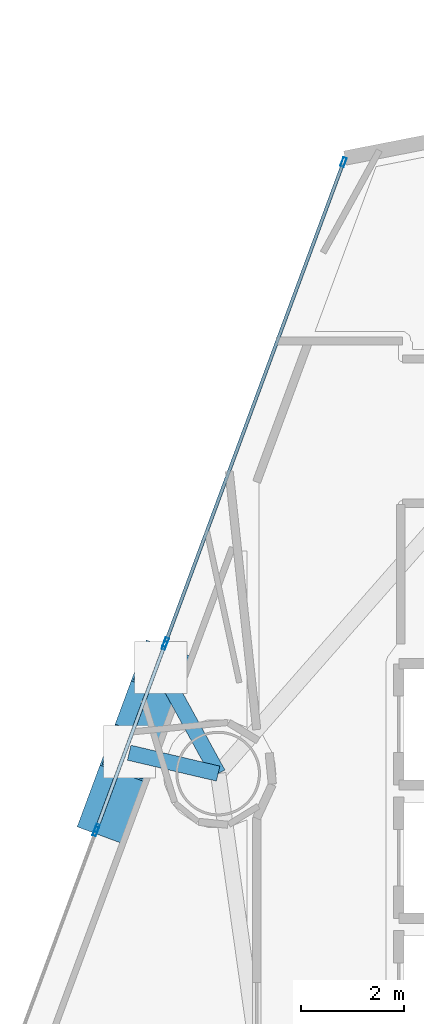
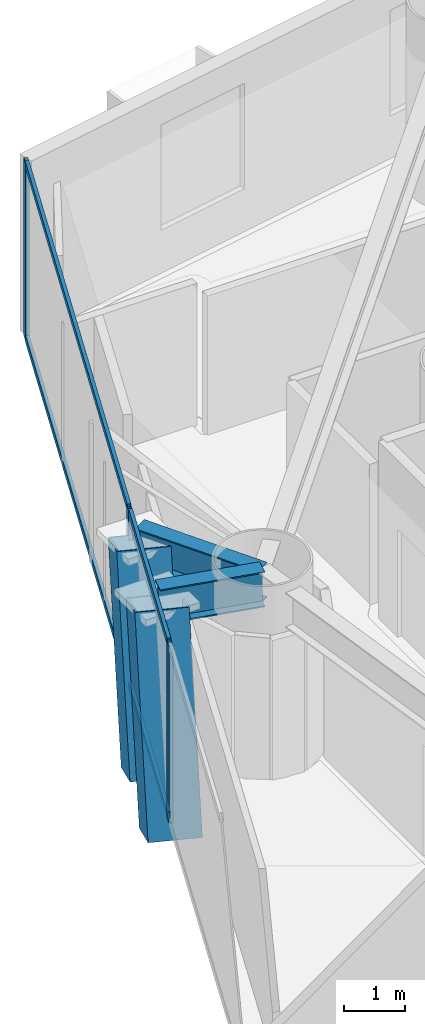
# One storey, part 8 of 24: 11 members, 2 beams, 3 elements without a shape of their own.
"""IFC4 building model written with IfcOpenShell, lengths in metres."""

from ifc_helpers import new_model, si_unit, direction, frame, origin, origin_2d, place, context, subcontext, project, spatial, hollow_rectangle, i_section, extrude, material, layer, layer_set, material_profile, profile_set, type_object, element, aggregate, save


model = new_model("IFC4")

# Units and contexts
model_context = context("Model", 3, precision=1e-05, world=origin(), true_north=direction((0.0, 1.0)))
body_context = subcontext(model_context, "Body", "Model", "MODEL_VIEW")
ifc_project = project(units=[si_unit("LENGTHUNIT", "METRE"), si_unit("AREAUNIT", "SQUARE_METRE"), si_unit("VOLUMEUNIT", "CUBIC_METRE"), si_unit("PLANEANGLEUNIT", "RADIAN"), si_unit("MASSUNIT", "GRAM", prefix="KILO")], contexts=[model_context])

# Site, building, storey
site_placement = place(None, origin())
site = spatial("IfcSite", under=ifc_project, at=site_placement, CompositionType="ELEMENT")
building_placement = place(site_placement, origin())
building = spatial("IfcBuilding", under=site, at=building_placement, Name="Qianvela Tower", CompositionType="ELEMENT")
storey_placement = place(building_placement, frame((0.0, 0.0, 59.89990234375)))
storey = spatial("IfcBuildingStorey", under=building, at=storey_placement, Name="L14", CompositionType="ELEMENT", Elevation=59.89990234375)

# Beams
ifc_material_1 = material(Name="Steel Q355B", Category="steel")
ifc_material_profile_1 = material_profile(ifc_material_1, i_section(OverallWidth=0.300048828125, OverallDepth=0.699951171875, WebThickness=0.012939453125, FlangeThickness=0.02392578125, at=origin_2d()), Name="HN700x300x13x24")
ifc_profile_set_1 = profile_set([ifc_material_profile_1], Name="Steel Q355B")
beam_type = type_object("IfcBeamType", Name="BM-HN700-SPAND", PredefinedType="SPANDREL", material=ifc_profile_set_1)
beam_1_placement = place(storey_placement, frame((22.8291015625, 30.340087890625, 3.168212890625), z_axis=(-0.480840378128, 0.876808149347, 0.0), x_axis=(-0.876808149347, -0.480840378128, 0.0)))
element("IfcBeam", 1, at=beam_1_placement, inside=storey, type_object=beam_type, Name="L14 Mega-Brace Column Tie Bracket F2-1", PredefinedType="SPANDREL", context=body_context, shape_type="SweptSolid", body=[
    extrude(i_section(OverallWidth=0.300048828125, OverallDepth=0.699951171875, WebThickness=0.012939453125, FlangeThickness=0.02392578125, at=origin_2d()), origin(), (0.0, 0.0, 1.0), 2.338623046875),
])
beam_2_placement = place(storey_placement, frame((22.8291015625, 30.340087890625, 3.168212890625), z_axis=(-0.973512416632, 0.228634150257, 0.0), x_axis=(-0.228634150257, -0.973512416632, 0.0)))
element("IfcBeam", 2, at=beam_2_placement, inside=storey, type_object=beam_type, Name="L14 Mega-Brace Column Tie Bracket F2-2", PredefinedType="SPANDREL", context=body_context, shape_type="SweptSolid", body=[
    extrude(i_section(OverallWidth=0.300048828125, OverallDepth=0.699951171875, WebThickness=0.012939453125, FlangeThickness=0.02392578125, at=origin_2d()), origin(), (0.0, 0.0, 1.0), 1.780029296875),
])

# Curtain wall, members
ifc_material_2 = material(Name="Anodised Architectural Aluminium and Insulated Spandrel Panel", Category="aluminium")
ifc_layer_1 = layer(ifc_material_2, 0.179931640625)
ifc_layer_set_1 = layer_set([ifc_layer_1], Name="Anodised Architectural Aluminium and Insulated Spandrel Panel")
curtain_wall_type_1 = type_object("IfcCurtainWallType", Name="CW-BRACEBAY", PredefinedType="USERDEFINED", material=ifc_layer_set_1)
curtain_wall_1_placement = place(storey_placement, origin())
curtain_wall_1 = element("IfcCurtainWall", 3, at=curtain_wall_1_placement, inside=storey, type_object=curtain_wall_type_1, Name="L14 CW-BRACEBAY Curtain Wall 04B", ObjectType="CURTAIN_WALL_SYSTEM", PredefinedType="USERDEFINED")
ifc_material_3 = material(Name="Anodised Architectural Aluminium 6063-T6", Category="aluminium")
ifc_material_profile_2 = material_profile(ifc_material_3, hollow_rectangle(XDim=0.06494140625, YDim=0.159912109375, WallThickness=0.0048828125, at=origin_2d()), Name="ALU-MULL-65x160")
ifc_profile_set_2 = profile_set([ifc_material_profile_2], Name="Anodised Architectural Aluminium 6063-T6")
member_type_1 = type_object("IfcMemberType", Name="CW-BRACEBAY-MULL", PredefinedType="MULLION", material=ifc_profile_set_2)
member_1_placement = place(storey_placement, frame((21.784423828125, 32.8359375, 0.0), z_axis=(0.0, 0.0, 1.0), x_axis=(0.937768135084, -0.347262040569, 0.0)))
member_1 = element("IfcMember", 4, at=member_1_placement, type_object=member_type_1, Name="CW-9 mullion 1", PredefinedType="MULLION", context=body_context, shape_type="SweptSolid", body=[
    extrude(hollow_rectangle(XDim=0.06494140625, YDim=0.159912109375, WallThickness=0.0048828125, at=origin_2d()), origin(), (0.0, 0.0, 1.0), 3.52001953125),
])
member_2_placement = place(storey_placement, frame((20.466552734375, 29.27734375, 0.0), z_axis=(0.0, 0.0, 1.0), x_axis=(0.937768135084, -0.347262040569, 0.0)))
member_2 = element("IfcMember", 5, at=member_2_placement, type_object=member_type_1, Name="CW-9 mullion 2", PredefinedType="MULLION", context=body_context, shape_type="SweptSolid", body=[
    extrude(hollow_rectangle(XDim=0.06494140625, YDim=0.159912109375, WallThickness=0.0048828125, at=origin_2d()), origin(), (0.0, 0.0, 1.0), 3.52001953125),
])
ifc_material_4 = material(Name="Anodised Architectural Aluminium 6063-T6", Category="aluminium")
ifc_material_profile_3 = material_profile(ifc_material_4, hollow_rectangle(XDim=0.06494140625, YDim=0.1298828125, WallThickness=0.00439453125, at=origin_2d()), Name="ALU-TRAN-65x130")
ifc_profile_set_3 = profile_set([ifc_material_profile_3], Name="Anodised Architectural Aluminium 6063-T6")
member_type_2 = type_object("IfcMemberType", Name="CW-BRACEBAY-TRAN", PredefinedType="USERDEFINED", material=ifc_profile_set_3)
member_3_placement = place(storey_placement, frame((21.77294921875, 32.8056640625, 0.03271484375), z_axis=(-0.347239740554, -0.937776392633, 0.0), x_axis=(0.937776392633, -0.347239740554, 0.0)))
member_3 = element("IfcMember", 6, at=member_3_placement, type_object=member_type_2, Name="CW-9 transom 1.1", ObjectType="TRANSOM", PredefinedType="USERDEFINED", context=body_context, shape_type="SweptSolid", body=[
    extrude(hollow_rectangle(XDim=0.06494140625, YDim=0.1298828125, WallThickness=0.00439453125, at=origin_2d()), origin(), (0.0, 0.0, 1.0), 3.72998046875),
])
member_4_placement = place(storey_placement, frame((21.77294921875, 32.8056640625, 3.487548828125), z_axis=(-0.347239740554, -0.937776392633, 0.0), x_axis=(0.937776392633, -0.347239740554, 0.0)))
member_4 = element("IfcMember", 7, at=member_4_placement, type_object=member_type_2, Name="CW-9 transom 1.2", ObjectType="TRANSOM", PredefinedType="USERDEFINED", context=body_context, shape_type="SweptSolid", body=[
    extrude(hollow_rectangle(XDim=0.06494140625, YDim=0.1298828125, WallThickness=0.00439453125, at=origin_2d()), origin(), (0.0, 0.0, 1.0), 3.72998046875),
])
aggregate(curtain_wall_1, [member_1, member_2, member_3, member_4])

ifc_material_5 = material(Name="Anodised Architectural Aluminium and Low-E Glass", Category="aluminium")
ifc_layer_2 = layer(ifc_material_5, 0.179931640625)
ifc_layer_set_2 = layer_set([ifc_layer_2], Name="Anodised Architectural Aluminium and Low-E Glass")
curtain_wall_type_2 = type_object("IfcCurtainWallType", Name="CW-COLIV-Z12", PredefinedType="USERDEFINED", material=ifc_layer_set_2)
curtain_wall_2_placement = place(storey_placement, origin())
curtain_wall_2 = element("IfcCurtainWall", 8, at=curtain_wall_2_placement, inside=storey, type_object=curtain_wall_type_2, Name="L14 CW-COLIV-Z12 Curtain Wall 04A", ObjectType="CURTAIN_WALL_SYSTEM", PredefinedType="USERDEFINED")
ifc_material_6 = material(Name="Anodised Architectural Aluminium 6063-T6", Category="aluminium")
ifc_material_profile_4 = material_profile(ifc_material_6, hollow_rectangle(XDim=0.070068359375, YDim=0.179931640625, WallThickness=0.0048828125, at=origin_2d()), Name="ALU-MULL-70x180")
ifc_profile_set_4 = profile_set([ifc_material_profile_4], Name="Anodised Architectural Aluminium 6063-T6")
member_type_3 = type_object("IfcMemberType", Name="CW-COLIV-Z12-MULL", PredefinedType="MULLION", material=ifc_profile_set_4)
member_5_placement = place(storey_placement, frame((25.2734375, 42.25830078125, 0.0), z_axis=(0.0, 0.0, 1.0), x_axis=(0.937767963568, -0.347262503743, 0.0)))
member_5 = element("IfcMember", 9, at=member_5_placement, type_object=member_type_3, Name="CW-3 mullion 1", PredefinedType="MULLION", context=body_context, shape_type="SweptSolid", body=[
    extrude(hollow_rectangle(XDim=0.070068359375, YDim=0.179931640625, WallThickness=0.0048828125, at=origin_2d()), origin(), (0.0, 0.0, 1.0), 3.52001953125),
])
member_6_placement = place(storey_placement, frame((21.807861328125, 32.8994140625, 0.0), z_axis=(0.0, 0.0, 1.0), x_axis=(0.937767963568, -0.347262503743, 0.0)))
member_6 = element("IfcMember", 10, at=member_6_placement, type_object=member_type_3, Name="CW-3 mullion 2", PredefinedType="MULLION", context=body_context, shape_type="SweptSolid", body=[
    extrude(hollow_rectangle(XDim=0.070068359375, YDim=0.179931640625, WallThickness=0.0048828125, at=origin_2d()), origin(), (0.0, 0.0, 1.0), 3.52001953125),
])

# Curtain wall, member
curtain_wall_3_placement = place(storey_placement, origin())
curtain_wall_3 = element("IfcCurtainWall", 11, at=curtain_wall_3_placement, inside=storey, type_object=curtain_wall_type_2, Name="L14 CW-COLIV-Z12 Curtain Wall 04C", ObjectType="CURTAIN_WALL_SYSTEM", PredefinedType="USERDEFINED")
member_7_placement = place(storey_placement, frame((20.443115234375, 29.2138671875, 0.0), z_axis=(0.0, 0.0, 1.0), x_axis=(0.937769894742, -0.347257288643, 0.0)))
member_7 = element("IfcMember", 12, at=member_7_placement, type_object=member_type_3, Name="CW-3 mullion 1", PredefinedType="MULLION", context=body_context, shape_type="SweptSolid", body=[
    extrude(hollow_rectangle(XDim=0.070068359375, YDim=0.179931640625, WallThickness=0.0048828125, at=origin_2d()), origin(), (0.0, 0.0, 1.0), 3.52001953125),
])
aggregate(curtain_wall_3, [member_7])

# Member
ifc_material_7 = material(Name="Anodised Architectural Aluminium 6063-T6", Category="aluminium")
ifc_material_profile_5 = material_profile(ifc_material_7, hollow_rectangle(XDim=0.06494140625, YDim=0.1298828125, WallThickness=0.00439453125, at=origin_2d()), Name="ALU-TRAN-65x130")
ifc_profile_set_5 = profile_set([ifc_material_profile_5], Name="Anodised Architectural Aluminium 6063-T6")
member_type_4 = type_object("IfcMemberType", Name="CW-COLIV-Z12-TRAN", PredefinedType="USERDEFINED", material=ifc_profile_set_5)
member_8_placement = place(storey_placement, frame((25.26123046875, 42.225341796875, 0.03271484375), z_axis=(-0.347267817593, -0.937765995792, 0.0), x_axis=(0.937765995792, -0.347267817593, 0.0)))
member_8 = element("IfcMember", 13, at=member_8_placement, type_object=member_type_4, Name="CW-3 transom 1.1", ObjectType="TRANSOM", PredefinedType="USERDEFINED", context=body_context, shape_type="SweptSolid", body=[
    extrude(hollow_rectangle(XDim=0.06494140625, YDim=0.1298828125, WallThickness=0.00439453125, at=origin_2d()), origin(), (0.0, 0.0, 1.0), 9.909912109375),
])

member_9_placement = place(storey_placement, frame((25.26123046875, 42.225341796875, 3.487548828125), z_axis=(-0.347267817593, -0.937765995792, 0.0), x_axis=(0.937765995792, -0.347267817593, 0.0)))
member_9 = element("IfcMember", 14, at=member_9_placement, type_object=member_type_4, Name="CW-3 transom 1.2", ObjectType="TRANSOM", PredefinedType="USERDEFINED", context=body_context, shape_type="SweptSolid", body=[
    extrude(hollow_rectangle(XDim=0.06494140625, YDim=0.1298828125, WallThickness=0.00439453125, at=origin_2d()), origin(), (0.0, 0.0, 1.0), 9.909912109375),
])

aggregate(curtain_wall_2, [member_5, member_6, member_8, member_9])

# Members
ifc_material_8 = material(Name="Steel Q420GJC", Category="steel")
ifc_material_profile_6 = material_profile(ifc_material_8, hollow_rectangle(XDim=0.89990234375, YDim=0.89990234375, WallThickness=0.035888671875, at=origin_2d()), Name="MBOX-900x900x36")
ifc_profile_set_6 = profile_set([ifc_material_profile_6], Name="Steel Q420GJC")
member_type_5 = type_object("IfcMemberType", Name="MBR-MBRACE-900", PredefinedType="BRACE", material=ifc_profile_set_6)
for number, where, z_axis, x_axis, name in (
    (15, (21.259521484375, 31.188720703125, -0.531982421875), (0.11365734384, 0.306930940058, 0.94492084654), (-0.937769439237, 0.347258518734, 0.0), "L14 Tier 2 Exterior Mega-Brace F2A"),
    (16, (20.651123046875, 29.54541015625, -0.531982421875), (0.11365951863, 0.306874465551, 0.944938927242), (-0.937746462495, 0.347320560977, 0.0), "L14 Tier 2 Exterior Mega-Brace F2B"),
):
    element("IfcMember", number, at=place(storey_placement, frame(where, z_axis=z_axis, x_axis=x_axis)), inside=storey, type_object=member_type_5, Name=name, PredefinedType="BRACE", context=body_context, shape_type="SweptSolid", body=[
        extrude(hollow_rectangle(XDim=0.89990234375, YDim=0.89990234375, WallThickness=0.035888671875, at=origin_2d()), origin(), (0.0, 0.0, 1.0), 3.915771484375),
    ])

save(model, "model.ifc")
